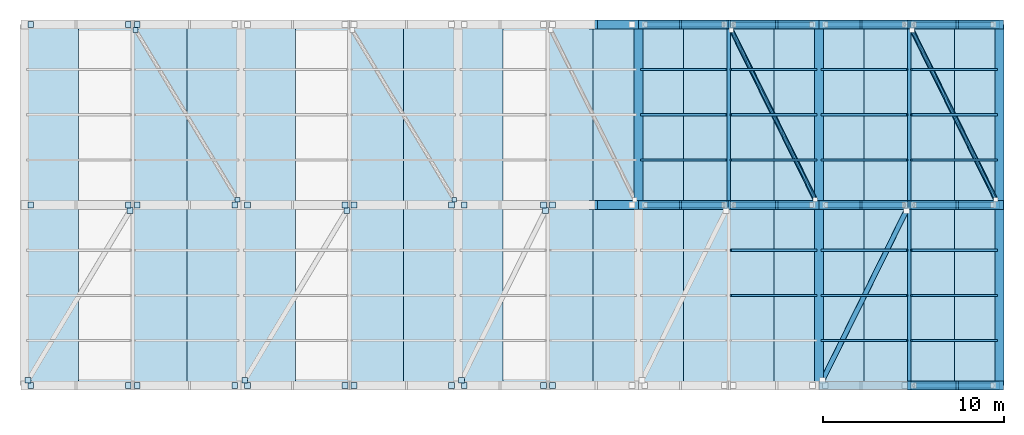
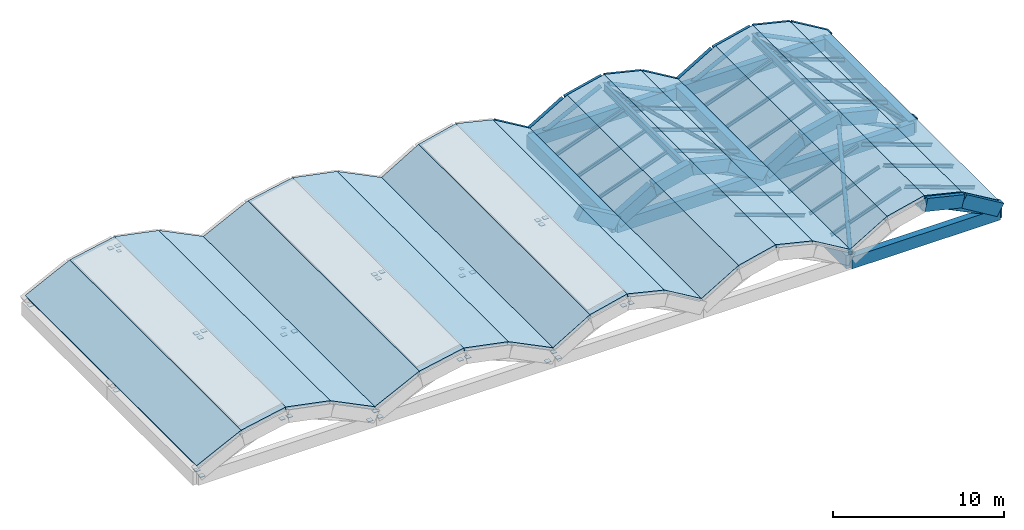
# One storey, part 2 of 3: 34 plates, 33 beams, 32 members, 20 slabs.
"""IFC4 building model written with IfcOpenShell, lengths in metres."""

from ifc_helpers import new_model, si_unit, direction, frame, origin, origin_2d, place, context, subcontext, project, spatial, polyline, rectangle, hollow_circle, i_section, outline, extrude, material, layer, layer_set, material_profile, profile_set, type_object, element, save


model = new_model("IFC4")

# Units and contexts
model_context = context("Model", 3, precision=1e-05, world=origin(), true_north=direction((0.0, 1.0)))
body_context = subcontext(model_context, "Body", "Model", "MODEL_VIEW")
ifc_project = project(units=[si_unit("LENGTHUNIT", "METRE"), si_unit("AREAUNIT", "SQUARE_METRE"), si_unit("VOLUMEUNIT", "CUBIC_METRE"), si_unit("PLANEANGLEUNIT", "RADIAN"), si_unit("MASSUNIT", "GRAM", prefix="KILO")], contexts=[model_context])

# Site, building, storey
site_placement = place(None, origin())
site = spatial("IfcSite", under=ifc_project, at=site_placement, CompositionType="ELEMENT")
building_placement = place(site_placement, origin())
building = spatial("IfcBuilding", under=site, at=building_placement, Name="Mersad Railyard Sports Hall", CompositionType="ELEMENT")
storey_placement = place(building_placement, frame((0.0, 0.0, 25.800048828125)))
storey = spatial("IfcBuildingStorey", under=building, at=storey_placement, Name="RF", CompositionType="ELEMENT", Elevation=25.800048828125)

# Beams
ifc_material_1 = material(Name="Concrete C40/50", Category="concrete")
ifc_material_profile_1 = material_profile(ifc_material_1, rectangle(XDim=0.449951171875, YDim=0.85009765625, at=origin_2d()), Name="RC 450x850")
ifc_profile_set_1 = profile_set([ifc_material_profile_1], Name="Concrete C40/50")
beam_type_1 = type_object("IfcBeamType", Name="STR-BM-B02", PredefinedType="BEAM", material=ifc_profile_set_1)
for number, where, z_axis, x_axis, name in (
    (1, (101.0, 105.0, -0.449951171875), (1.0, 0.0, 0.0), (0.0, 1.0, 0.0), "Beam B02-1547"),
    (2, (101.0, 115.0, -0.449951171875), (1.0, 0.0, 0.0), (0.0, 1.0, 0.0), "Beam B02-1552"),
    (3, (111.0, 95.0, -0.449951171875), (1.0, 0.0, 0.0), (0.0, 1.0, 0.0), "Beam B02-1559"),
    (4, (111.0, 105.0, -0.449951171875), (1.0, 0.0, 0.0), (0.0, 1.0, 0.0), "Beam B02-1564"),
    (5, (111.0, 115.0, -0.449951171875), (1.0, 0.0, 0.0), (0.0, 1.0, 0.0), "Beam B02-1569"),
):
    element("IfcBeam", number, at=place(storey_placement, frame(where, z_axis=z_axis, x_axis=x_axis)), inside=storey, type_object=beam_type_1, Name=name, PredefinedType="BEAM", context=body_context, shape_type="SweptSolid", body=[
        extrude(rectangle(XDim=0.449951171875, YDim=0.85009765625, at=origin_2d()), origin(), (0.0, 0.0, 1.0), 10.0),
    ])
ifc_material_2 = material(Name="Concrete C50/60", Category="concrete")
ifc_material_profile_2 = material_profile(ifc_material_2, rectangle(XDim=0.5, YDim=0.949951171875, at=origin_2d()), Name="RC 500x950")
ifc_profile_set_2 = profile_set([ifc_material_profile_2], Name="Concrete C50/60")
beam_type_2 = type_object("IfcBeamType", Name="STR-BM-B03", PredefinedType="BEAM", material=ifc_profile_set_2)
for number, where, z_axis, x_axis, name in (
    (6, (101.0, 105.0, -0.449951171875), (0.0, 1.0, 0.0), (-1.0, 0.0, 0.0), "Beam B03-1486"),
    (7, (111.0, 95.0, -0.449951171875), (0.0, 1.0, 0.0), (-1.0, 0.0, 0.0), "Beam B03-1487"),
    (8, (111.0, 105.0, -0.449951171875), (0.0, 1.0, 0.0), (-1.0, 0.0, 0.0), "Beam B03-1488"),
    (9, (121.0, 95.0, -0.449951171875), (0.0, 1.0, 0.0), (-1.0, 0.0, 0.0), "Beam B03-1489"),
    (10, (121.0, 105.0, -0.449951171875), (0.0, 1.0, 0.0), (-1.0, 0.0, 0.0), "Beam B03-1490"),
):
    element("IfcBeam", number, at=place(storey_placement, frame(where, z_axis=z_axis, x_axis=x_axis)), inside=storey, type_object=beam_type_2, Name=name, PredefinedType="BEAM", context=body_context, shape_type="SweptSolid", body=[
        extrude(rectangle(XDim=0.5, YDim=0.949951171875, at=origin_2d()), origin(), (0.0, 0.0, 1.0), 10.0),
    ])
ifc_material_3 = material(Name="Steel S355", Category="steel")
ifc_material_profile_3 = material_profile(ifc_material_3, i_section(OverallWidth=0.2099609375, OverallDepth=0.550048828125, WebThickness=0.010986328125, FlangeThickness=0.01708984375, at=origin_2d()), Name="IPE 550")
ifc_profile_set_3 = profile_set([ifc_material_profile_3], Name="Steel S355")
beam_type_3 = type_object("IfcBeamType", Name="STR-BM-SB02", PredefinedType="BEAM", material=ifc_profile_set_3)
for number, where, z_axis, x_axis, name in (
    (11, (106.0, 105.0, 1.64990234375), (0.0, 1.0, 0.0), (-1.0, 0.0, 0.0), "Beam SB02-1558"),
    (12, (116.0, 95.0, 1.64990234375), (0.0, 1.0, 0.0), (-1.0, 0.0, 0.0), "Beam SB02-1574"),
    (13, (116.0, 105.0, 1.64990234375), (0.0, 1.0, 0.0), (-1.0, 0.0, 0.0), "Beam SB02-1575"),
):
    element("IfcBeam", number, at=place(storey_placement, frame(where, z_axis=z_axis, x_axis=x_axis)), inside=storey, type_object=beam_type_3, Name=name, PredefinedType="BEAM", context=body_context, shape_type="SweptSolid", body=[
        extrude(i_section(OverallWidth=0.2099609375, OverallDepth=0.550048828125, WebThickness=0.010986328125, FlangeThickness=0.01708984375, at=origin_2d()), origin(), (0.0, 0.0, 1.0), 10.0),
    ])
ifc_material_4 = material(Name="Architectural concrete C50/60", Category="concrete")
ifc_material_profile_4 = material_profile(ifc_material_4, rectangle(XDim=0.5, YDim=0.89990234375, at=origin_2d()), Name="VR 500x900")
ifc_profile_set_4 = profile_set([ifc_material_profile_4], Name="Architectural concrete C50/60")
beam_type_4 = type_object("IfcBeamType", Name="STR-BM-VR02", PredefinedType="BEAM", material=ifc_profile_set_4)
for number, where, z_axis, x_axis, name in (
    (14, (98.5, 105.0, 1.349853515625), (0.857492925713, 0.0, -0.514495755428), (0.0, 1.0, 0.0), "Beam VR02-1534"),
    (15, (98.5, 115.0, 1.349853515625), (0.857492925713, 0.0, -0.514495755428), (0.0, 1.0, 0.0), "Beam VR02-1539"),
    (16, (101.0, 105.0, -0.150146484375), (0.857492925713, 0.0, 0.514495755428), (0.0, 1.0, 0.0), "Beam VR02-1548"),
):
    element("IfcBeam", number, at=place(storey_placement, frame(where, z_axis=z_axis, x_axis=x_axis)), inside=storey, type_object=beam_type_4, Name=name, PredefinedType="BEAM", context=body_context, shape_type="SweptSolid", body=[
        extrude(rectangle(XDim=0.5, YDim=0.89990234375, at=origin_2d()), origin(), (0.0, 0.0, 1.0), 2.91552734375),
    ])
for number, where, z_axis, x_axis, name in (
    (17, (103.5, 105.0, 1.349853515625), (0.972378681754, 0.0, 0.233408867163), (0.0, 1.0, 0.0), "Beam VR02-1549"),
    (18, (106.0, 105.0, 1.949951171875), (0.972378681754, 0.0, -0.233408867163), (0.0, 1.0, 0.0), "Beam VR02-1550"),
):
    element("IfcBeam", number, at=place(storey_placement, frame(where, z_axis=z_axis, x_axis=x_axis)), inside=storey, type_object=beam_type_4, Name=name, PredefinedType="BEAM", context=body_context, shape_type="SweptSolid", body=[
        extrude(rectangle(XDim=0.5, YDim=0.89990234375, at=origin_2d()), origin(), (0.0, 0.0, 1.0), 2.571044921875),
    ])
for number, where, z_axis, x_axis, name in (
    (19, (108.5, 105.0, 1.349853515625), (0.857492925713, 0.0, -0.514495755428), (0.0, 1.0, 0.0), "Beam VR02-1551"),
    (20, (101.0, 115.0, -0.150146484375), (0.857492925713, 0.0, 0.514495755428), (0.0, 1.0, 0.0), "Beam VR02-1553"),
):
    element("IfcBeam", number, at=place(storey_placement, frame(where, z_axis=z_axis, x_axis=x_axis)), inside=storey, type_object=beam_type_4, Name=name, PredefinedType="BEAM", context=body_context, shape_type="SweptSolid", body=[
        extrude(rectangle(XDim=0.5, YDim=0.89990234375, at=origin_2d()), origin(), (0.0, 0.0, 1.0), 2.91552734375),
    ])
for number, where, z_axis, x_axis, name in (
    (21, (103.5, 115.0, 1.349853515625), (0.972378681754, 0.0, 0.233408867163), (0.0, 1.0, 0.0), "Beam VR02-1554"),
    (22, (106.0, 115.0, 1.949951171875), (0.972378681754, 0.0, -0.233408867163), (0.0, 1.0, 0.0), "Beam VR02-1555"),
):
    element("IfcBeam", number, at=place(storey_placement, frame(where, z_axis=z_axis, x_axis=x_axis)), inside=storey, type_object=beam_type_4, Name=name, PredefinedType="BEAM", context=body_context, shape_type="SweptSolid", body=[
        extrude(rectangle(XDim=0.5, YDim=0.89990234375, at=origin_2d()), origin(), (0.0, 0.0, 1.0), 2.571044921875),
    ])
beam_1_placement = place(storey_placement, frame((108.5, 115.0, 1.349853515625), z_axis=(0.857492925713, 0.0, -0.514495755428), x_axis=(0.0, 1.0, 0.0)))
element("IfcBeam", 23, at=beam_1_placement, inside=storey, type_object=beam_type_4, Name="Beam VR02-1556", PredefinedType="BEAM", context=body_context, shape_type="SweptSolid", body=[
    extrude(rectangle(XDim=0.5, YDim=0.89990234375, at=origin_2d()), origin(), (0.0, 0.0, 1.0), 2.91552734375),
])
beam_2_placement = place(storey_placement, frame((116.0, 95.0, 1.949951171875), z_axis=(0.972378681754, 0.0, -0.233408867163), x_axis=(0.0, 1.0, 0.0)))
element("IfcBeam", 24, at=beam_2_placement, inside=storey, type_object=beam_type_4, Name="Beam VR02-1562", PredefinedType="BEAM", context=body_context, shape_type="SweptSolid", body=[
    extrude(rectangle(XDim=0.5, YDim=0.89990234375, at=origin_2d()), origin(), (0.0, 0.0, 1.0), 2.571044921875),
])
for number, where, z_axis, x_axis, name in (
    (25, (118.5, 95.0, 1.349853515625), (0.857492925713, 0.0, -0.514495755428), (0.0, 1.0, 0.0), "Beam VR02-1563"),
    (26, (111.0, 105.0, -0.150146484375), (0.857492925713, 0.0, 0.514495755428), (0.0, 1.0, 0.0), "Beam VR02-1565"),
):
    element("IfcBeam", number, at=place(storey_placement, frame(where, z_axis=z_axis, x_axis=x_axis)), inside=storey, type_object=beam_type_4, Name=name, PredefinedType="BEAM", context=body_context, shape_type="SweptSolid", body=[
        extrude(rectangle(XDim=0.5, YDim=0.89990234375, at=origin_2d()), origin(), (0.0, 0.0, 1.0), 2.91552734375),
    ])
for number, where, z_axis, x_axis, name in (
    (27, (113.5, 105.0, 1.349853515625), (0.972378681754, 0.0, 0.233408867163), (0.0, 1.0, 0.0), "Beam VR02-1566"),
    (28, (116.0, 105.0, 1.949951171875), (0.972378681754, 0.0, -0.233408867163), (0.0, 1.0, 0.0), "Beam VR02-1567"),
):
    element("IfcBeam", number, at=place(storey_placement, frame(where, z_axis=z_axis, x_axis=x_axis)), inside=storey, type_object=beam_type_4, Name=name, PredefinedType="BEAM", context=body_context, shape_type="SweptSolid", body=[
        extrude(rectangle(XDim=0.5, YDim=0.89990234375, at=origin_2d()), origin(), (0.0, 0.0, 1.0), 2.571044921875),
    ])
for number, where, z_axis, x_axis, name in (
    (29, (118.5, 105.0, 1.349853515625), (0.857492925713, 0.0, -0.514495755428), (0.0, 1.0, 0.0), "Beam VR02-1568"),
    (30, (111.0, 115.0, -0.150146484375), (0.857492925713, 0.0, 0.514495755428), (0.0, 1.0, 0.0), "Beam VR02-1570"),
):
    element("IfcBeam", number, at=place(storey_placement, frame(where, z_axis=z_axis, x_axis=x_axis)), inside=storey, type_object=beam_type_4, Name=name, PredefinedType="BEAM", context=body_context, shape_type="SweptSolid", body=[
        extrude(rectangle(XDim=0.5, YDim=0.89990234375, at=origin_2d()), origin(), (0.0, 0.0, 1.0), 2.91552734375),
    ])
for number, where, z_axis, x_axis, name in (
    (31, (113.5, 115.0, 1.349853515625), (0.972378681754, 0.0, 0.233408867163), (0.0, 1.0, 0.0), "Beam VR02-1571"),
    (32, (116.0, 115.0, 1.949951171875), (0.972378681754, 0.0, -0.233408867163), (0.0, 1.0, 0.0), "Beam VR02-1572"),
):
    element("IfcBeam", number, at=place(storey_placement, frame(where, z_axis=z_axis, x_axis=x_axis)), inside=storey, type_object=beam_type_4, Name=name, PredefinedType="BEAM", context=body_context, shape_type="SweptSolid", body=[
        extrude(rectangle(XDim=0.5, YDim=0.89990234375, at=origin_2d()), origin(), (0.0, 0.0, 1.0), 2.571044921875),
    ])
beam_3_placement = place(storey_placement, frame((118.5, 115.0, 1.349853515625), z_axis=(0.857492925713, 0.0, -0.514495755428), x_axis=(0.0, 1.0, 0.0)))
element("IfcBeam", 33, at=beam_3_placement, inside=storey, type_object=beam_type_4, Name="Beam VR02-1573", PredefinedType="BEAM", context=body_context, shape_type="SweptSolid", body=[
    extrude(rectangle(XDim=0.5, YDim=0.89990234375, at=origin_2d()), origin(), (0.0, 0.0, 1.0), 2.91552734375),
])

# Members
ifc_material_profile_5 = material_profile(ifc_material_3, hollow_circle(Radius=0.122314453125, WallThickness=0.012451171875, at=origin_2d()), Name="CHS 244.5x12.5")
ifc_profile_set_5 = profile_set([ifc_material_profile_5], Name="Steel S355")
member_type_1 = type_object("IfcMemberType", Name="STR-MEM-BR01", PredefinedType="BRACE", material=ifc_profile_set_5)
for number, where, z_axis, x_axis, name in (
    (34, (106.14990234375, 114.699951171875, 1.599853515625), (0.437362823388, -0.884094262934, -0.164593726994), (0.896318753344, 0.443410298035, 0.0), "Structural member BR01-0357"),
    (35, (116.14990234375, 114.699951171875, 1.599853515625), (0.437362823388, -0.884094262934, -0.164593726994), (0.896318753344, 0.443410298035, 0.0), "Structural member BR01-0371"),
):
    element("IfcMember", number, at=place(storey_placement, frame(where, z_axis=z_axis, x_axis=x_axis)), inside=storey, type_object=member_type_1, Name=name, PredefinedType="BRACE", context=body_context, shape_type="SweptSolid", body=[
        extrude(hollow_circle(Radius=0.122314453125, WallThickness=0.012451171875, at=origin_2d()), origin(), (0.0, 0.0, 1.0), 10.63232421875),
    ])
ifc_material_profile_6 = material_profile(ifc_material_3, hollow_circle(Radius=0.136474609375, WallThickness=0.012451171875, at=origin_2d()), Name="CHS 273x12.5")
ifc_profile_set_6 = profile_set([ifc_material_profile_6], Name="Steel S355")
member_type_2 = type_object("IfcMemberType", Name="STR-MEM-BR02", PredefinedType="BRACE", material=ifc_profile_set_6)
for number, where, z_axis, x_axis, name in (
    (36, (101.35009765625, 105.0, -0.420166015625), (0.896842475218, 0.0, 0.44235005894), (0.0, 1.0, 0.0), "Structural member BR02-0049"),
    (37, (110.64990234375, 105.0, -0.420166015625), (-0.896842475218, 0.0, 0.44235005894), (0.0, -1.0, 0.0), "Structural member BR02-0050"),
    (38, (101.35009765625, 115.0, -0.420166015625), (0.896842475218, 0.0, 0.44235005894), (0.0, 1.0, 0.0), "Structural member BR02-0051"),
    (39, (110.64990234375, 115.0, -0.420166015625), (-0.896842475218, 0.0, 0.44235005894), (0.0, -1.0, 0.0), "Structural member BR02-0052"),
    (40, (120.64990234375, 95.0, -0.420166015625), (-0.896842475218, 0.0, 0.44235005894), (0.0, -1.0, 0.0), "Structural member BR02-0054"),
    (41, (111.35009765625, 105.0, -0.420166015625), (0.896842475218, 0.0, 0.44235005894), (0.0, 1.0, 0.0), "Structural member BR02-0055"),
    (42, (120.64990234375, 105.0, -0.420166015625), (-0.896842475218, 0.0, 0.44235005894), (0.0, -1.0, 0.0), "Structural member BR02-0056"),
    (43, (111.35009765625, 115.0, -0.420166015625), (0.896842475218, 0.0, 0.44235005894), (0.0, 1.0, 0.0), "Structural member BR02-0057"),
    (44, (120.64990234375, 115.0, -0.420166015625), (-0.896842475218, 0.0, 0.44235005894), (0.0, -1.0, 0.0), "Structural member BR02-0058"),
):
    element("IfcMember", number, at=place(storey_placement, frame(where, z_axis=z_axis, x_axis=x_axis)), inside=storey, type_object=member_type_2, Name=name, PredefinedType="BRACE", context=body_context, shape_type="SweptSolid", body=[
        extrude(hollow_circle(Radius=0.136474609375, WallThickness=0.012451171875, at=origin_2d()), origin(), (0.0, 0.0, 1.0), 4.906005859375),
    ])
member_placement = place(storey_placement, frame((111.199951171875, 95.300048828125, -0.150146484375), z_axis=(0.437362823388, 0.884094262934, 0.164593726994), x_axis=(-0.896318753344, 0.443410298035, 0.0)))
element("IfcMember", 45, at=member_placement, inside=storey, type_object=member_type_2, Name="Structural member BR02-0370", PredefinedType="BRACE", context=body_context, shape_type="SweptSolid", body=[
    extrude(hollow_circle(Radius=0.136474609375, WallThickness=0.012451171875, at=origin_2d()), origin(), (0.0, 0.0, 1.0), 10.63232421875),
])
ifc_material_profile_7 = material_profile(ifc_material_3, i_section(OverallWidth=0.1201171875, OverallDepth=0.239990234375, WebThickness=0.006103515625, FlangeThickness=0.009765625, at=origin_2d()), Name="IPE 240")
ifc_profile_set_7 = profile_set([ifc_material_profile_7], Name="Steel S355")
member_type_3 = type_object("IfcMemberType", Name="STR-MEM-PU01", PredefinedType="PURLIN", material=ifc_profile_set_7)
for number, where, z_axis, x_axis, name in (
    (46, (106.1201171875, 100.0, 1.550048828125), (0.941052008282, 0.0, -0.338261906972), (0.0, 1.0, 0.0), "Structural member PU01-0347"),
    (47, (106.1201171875, 102.5, 1.550048828125), (0.941052008282, 0.0, -0.338261906972), (0.0, 1.0, 0.0), "Structural member PU01-0349"),
    (48, (101.14990234375, 107.5, -0.150146484375), (0.941052008282, 0.0, 0.338261906972), (0.0, 1.0, 0.0), "Structural member PU01-0350"),
    (49, (106.1201171875, 107.5, 1.550048828125), (0.941052008282, 0.0, -0.338261906972), (0.0, 1.0, 0.0), "Structural member PU01-0351"),
    (50, (101.14990234375, 110.0, -0.150146484375), (0.941052008282, 0.0, 0.338261906972), (0.0, 1.0, 0.0), "Structural member PU01-0352"),
    (51, (106.1201171875, 110.0, 1.550048828125), (0.941052008282, 0.0, -0.338261906972), (0.0, 1.0, 0.0), "Structural member PU01-0353"),
    (52, (101.14990234375, 112.5, -0.150146484375), (0.941052008282, 0.0, 0.338261906972), (0.0, 1.0, 0.0), "Structural member PU01-0354"),
    (53, (106.1201171875, 112.5, 1.550048828125), (0.941052008282, 0.0, -0.338261906972), (0.0, 1.0, 0.0), "Structural member PU01-0355"),
    (54, (111.14990234375, 97.5, -0.150146484375), (0.941052008282, 0.0, 0.338261906972), (0.0, 1.0, 0.0), "Structural member PU01-0358"),
    (55, (116.1201171875, 97.5, 1.550048828125), (0.941052008282, 0.0, -0.338261906972), (0.0, 1.0, 0.0), "Structural member PU01-0359"),
    (56, (111.14990234375, 100.0, -0.150146484375), (0.941052008282, 0.0, 0.338261906972), (0.0, 1.0, 0.0), "Structural member PU01-0360"),
    (57, (116.1201171875, 100.0, 1.550048828125), (0.941052008282, 0.0, -0.338261906972), (0.0, 1.0, 0.0), "Structural member PU01-0361"),
    (58, (111.14990234375, 102.5, -0.150146484375), (0.941052008282, 0.0, 0.338261906972), (0.0, 1.0, 0.0), "Structural member PU01-0362"),
    (59, (116.1201171875, 102.5, 1.550048828125), (0.941052008282, 0.0, -0.338261906972), (0.0, 1.0, 0.0), "Structural member PU01-0363"),
    (60, (111.14990234375, 107.5, -0.150146484375), (0.941052008282, 0.0, 0.338261906972), (0.0, 1.0, 0.0), "Structural member PU01-0364"),
    (61, (116.1201171875, 107.5, 1.550048828125), (0.941052008282, 0.0, -0.338261906972), (0.0, 1.0, 0.0), "Structural member PU01-0365"),
    (62, (111.14990234375, 110.0, -0.150146484375), (0.941052008282, 0.0, 0.338261906972), (0.0, 1.0, 0.0), "Structural member PU01-0366"),
    (63, (116.1201171875, 110.0, 1.550048828125), (0.941052008282, 0.0, -0.338261906972), (0.0, 1.0, 0.0), "Structural member PU01-0367"),
    (64, (111.14990234375, 112.5, -0.150146484375), (0.941052008282, 0.0, 0.338261906972), (0.0, 1.0, 0.0), "Structural member PU01-0368"),
    (65, (116.1201171875, 112.5, 1.550048828125), (0.941052008282, 0.0, -0.338261906972), (0.0, 1.0, 0.0), "Structural member PU01-0369"),
):
    element("IfcMember", number, at=place(storey_placement, frame(where, z_axis=z_axis, x_axis=x_axis)), inside=storey, type_object=member_type_3, Name=name, PredefinedType="PURLIN", context=body_context, shape_type="SweptSolid", body=[
        extrude(i_section(OverallWidth=0.1201171875, OverallDepth=0.239990234375, WebThickness=0.006103515625, FlangeThickness=0.009765625, at=origin_2d()), origin(), (0.0, 0.0, 1.0), 5.0263671875),
    ])

# Plates
ifc_layer_1 = layer(ifc_material_3, 0.02392578125)
ifc_layer_set_1 = layer_set([ifc_layer_1], Name="Steel S355")
plate_type_1 = type_object("IfcPlateType", Name="STR-PL-KP04", PredefinedType="SHEET", material=ifc_layer_set_1)
for number, where, z_axis, x_axis, name in (
    (66, (73.14990234375, 114.699951171875, 1.587890625), (0.0, 0.0, 1.0), (1.0, 0.0, 0.0), "End cap plate KP04-0241"),
    (67, (78.800048828125, 105.300048828125, -0.162109375), (0.0, 0.0, 1.0), (1.0, 0.0, 0.0), "End cap plate KP04-0242"),
    (68, (90.800048828125, 105.300048828125, -0.162109375), (0.0, 0.0, 1.0), (1.0, 0.0, 0.0), "End cap plate KP04-0246"),
):
    element("IfcPlate", number, at=place(storey_placement, frame(where, z_axis=z_axis, x_axis=x_axis)), inside=storey, type_object=plate_type_1, Name=name, PredefinedType="SHEET", context=body_context, shape_type="SweptSolid", body=[
        extrude(rectangle(XDim=0.260009765625, YDim=0.260009765625, at=origin_2d()), origin(), (0.0, 0.0, 1.0), 0.02392578125),
    ])
ifc_layer_2 = layer(ifc_material_3, 0.0400390625)
ifc_layer_set_2 = layer_set([ifc_layer_2], Name="Steel S355")
plate_type_2 = type_object("IfcPlateType", Name="STR-PL-KP06", PredefinedType="SHEET", material=ifc_layer_set_2)
for number, where, z_axis, x_axis, name in (
    (69, (67.35009765625, 95.0, -0.440185546875), (0.0, 0.0, 1.0), (1.0, 0.0, 0.0), "End cap plate KP06-0057"),
    (70, (72.75, 95.0, 1.72998046875), (0.0, 0.0, 1.0), (1.0, 0.0, 0.0), "End cap plate KP06-0058"),
    (71, (78.64990234375, 95.0, -0.440185546875), (0.0, 0.0, 1.0), (1.0, 0.0, 0.0), "End cap plate KP06-0059"),
    (72, (73.25, 95.0, 1.72998046875), (0.0, 0.0, 1.0), (1.0, 0.0, 0.0), "End cap plate KP06-0060"),
    (73, (67.35009765625, 105.0, -0.440185546875), (0.0, 0.0, 1.0), (1.0, 0.0, 0.0), "End cap plate KP06-0061"),
    (74, (72.75, 105.0, 1.72998046875), (0.0, 0.0, 1.0), (1.0, 0.0, 0.0), "End cap plate KP06-0062"),
    (75, (78.64990234375, 105.0, -0.440185546875), (0.0, 0.0, 1.0), (1.0, 0.0, 0.0), "End cap plate KP06-0063"),
    (76, (73.25, 105.0, 1.72998046875), (0.0, 0.0, 1.0), (1.0, 0.0, 0.0), "End cap plate KP06-0064"),
    (77, (67.35009765625, 115.0, -0.440185546875), (0.0, 0.0, 1.0), (1.0, 0.0, 0.0), "End cap plate KP06-0065"),
    (78, (72.75, 115.0, 1.72998046875), (0.0, 0.0, 1.0), (1.0, 0.0, 0.0), "End cap plate KP06-0066"),
    (79, (73.25, 115.0, 1.72998046875), (0.0, 0.0, 1.0), (1.0, 0.0, 0.0), "End cap plate KP06-0068"),
    (80, (79.35009765625, 95.0, -0.440185546875), (0.0, 0.0, 1.0), (1.0, 0.0, 0.0), "End cap plate KP06-0069"),
    (81, (84.75, 95.0, 1.72998046875), (0.0, 0.0, 1.0), (1.0, 0.0, 0.0), "End cap plate KP06-0070"),
    (82, (90.64990234375, 95.0, -0.440185546875), (0.0, 0.0, 1.0), (1.0, 0.0, 0.0), "End cap plate KP06-0071"),
    (83, (85.25, 95.0, 1.72998046875), (0.0, 0.0, 1.0), (1.0, 0.0, 0.0), "End cap plate KP06-0072"),
    (84, (79.35009765625, 105.0, -0.440185546875), (0.0, 0.0, 1.0), (1.0, 0.0, 0.0), "End cap plate KP06-0073"),
    (85, (84.75, 105.0, 1.72998046875), (0.0, 0.0, 1.0), (1.0, 0.0, 0.0), "End cap plate KP06-0074"),
    (86, (90.64990234375, 105.0, -0.440185546875), (0.0, 0.0, 1.0), (1.0, 0.0, 0.0), "End cap plate KP06-0075"),
    (87, (85.25, 105.0, 1.72998046875), (0.0, 0.0, 1.0), (1.0, 0.0, 0.0), "End cap plate KP06-0076"),
    (88, (91.35009765625, 95.0, -0.440185546875), (0.0, 0.0, 1.0), (1.0, 0.0, 0.0), "End cap plate KP06-0081"),
    (89, (95.75, 95.0, 1.72998046875), (0.0, 0.0, 1.0), (1.0, 0.0, 0.0), "End cap plate KP06-0082"),
    (90, (96.25, 95.0, 1.72998046875), (0.0, 0.0, 1.0), (1.0, 0.0, 0.0), "End cap plate KP06-0084"),
    (91, (91.35009765625, 105.0, -0.440185546875), (0.0, 0.0, 1.0), (1.0, 0.0, 0.0), "End cap plate KP06-0085"),
    (92, (95.75, 105.0, 1.72998046875), (0.0, 0.0, 1.0), (1.0, 0.0, 0.0), "End cap plate KP06-0086"),
    (93, (96.25, 105.0, 1.72998046875), (0.0, 0.0, 1.0), (1.0, 0.0, 0.0), "End cap plate KP06-0088"),
    (94, (67.199951171875, 95.300048828125, -0.170166015625), (0.0, 0.0, 1.0), (1.0, 0.0, 0.0), "End cap plate KP06-0239"),
    (95, (72.85009765625, 104.699951171875, 1.579833984375), (0.0, 0.0, 1.0), (1.0, 0.0, 0.0), "End cap plate KP06-0240"),
    (96, (79.199951171875, 95.300048828125, -0.170166015625), (0.0, 0.0, 1.0), (1.0, 0.0, 0.0), "End cap plate KP06-0243"),
    (97, (84.85009765625, 104.699951171875, 1.579833984375), (0.0, 0.0, 1.0), (1.0, 0.0, 0.0), "End cap plate KP06-0244"),
    (98, (91.199951171875, 95.300048828125, -0.170166015625), (0.0, 0.0, 1.0), (1.0, 0.0, 0.0), "End cap plate KP06-0247"),
    (99, (95.85009765625, 104.699951171875, 1.579833984375), (0.0, 0.0, 1.0), (1.0, 0.0, 0.0), "End cap plate KP06-0248"),
):
    element("IfcPlate", number, at=place(storey_placement, frame(where, z_axis=z_axis, x_axis=x_axis)), inside=storey, type_object=plate_type_2, Name=name, PredefinedType="SHEET", context=body_context, shape_type="SweptSolid", body=[
        extrude(rectangle(XDim=0.320068359375, YDim=0.320068359375, at=origin_2d()), origin(), (0.0, 0.0, 1.0), 0.0400390625),
    ])

# Slabs
ifc_layer_3 = layer(ifc_material_4, 0.219970703125)
ifc_layer_set_3 = layer_set([ifc_layer_3], Name="Architectural concrete C50/60")
slab_type = type_object("IfcSlabType", Name="STR-SL-RF01", PredefinedType="ROOF", material=ifc_layer_set_3)
slab_1_placement = place(storey_placement, frame((67.0, 95.0, 0.39990234375), z_axis=(-0.44241954073, 0.0, 0.896808201334), x_axis=(0.896808201334, 0.0, 0.44241954073)))
element("IfcSlab", 100, at=slab_1_placement, inside=storey, type_object=slab_type, Name="Wing scalloped barrel-vault shell bay 1 seg 1", PredefinedType="ROOF", context=body_context, shape_type="SweptSolid", body=[
    extrude(outline(polyline([(0.0, 0.0), (3.3451968832762997, 0.0), (3.3451968832762997, 19.999999999999996), (0.0, 19.999999999999996), (0.0, 0.0)])), origin(), (0.0, 0.0, -1.0), 0.219970703125),
])
for number, where, z_axis, x_axis, name in (
    (101, (70.0, 95.0, 1.8798828125), (-0.196146827104, 0.0, 0.980574536798), (0.980574536798, 0.0, 0.196146827104), "Wing scalloped barrel-vault shell bay 1 seg 2"),
    (102, (73.0, 95.0, 2.47998046875), (0.196146827104, 0.0, 0.980574536798), (0.980574536798, 0.0, -0.196146827104), "Wing scalloped barrel-vault shell bay 1 seg 3"),
):
    element("IfcSlab", number, at=place(storey_placement, frame(where, z_axis=z_axis, x_axis=x_axis)), inside=storey, type_object=slab_type, Name=name, PredefinedType="ROOF", context=body_context, shape_type="SweptSolid", body=[
        extrude(outline(polyline([(0.0, 0.0), (3.059430861620629, 0.0), (3.059430861620629, 20.0), (0.0, 20.0), (0.0, 0.0)])), origin(), (0.0, 0.0, -1.0), 0.219970703125),
    ])
for number, where, z_axis, x_axis, name in (
    (103, (76.0, 95.0, 1.8798828125), (0.44241954073, 0.0, 0.896808201334), (0.896808201334, 0.0, -0.44241954073), "Wing scalloped barrel-vault shell bay 1 seg 4"),
    (104, (79.0, 95.0, 0.39990234375), (-0.44241954073, 0.0, 0.896808201334), (0.896808201334, 0.0, 0.44241954073), "Wing scalloped barrel-vault shell bay 2 seg 1"),
):
    element("IfcSlab", number, at=place(storey_placement, frame(where, z_axis=z_axis, x_axis=x_axis)), inside=storey, type_object=slab_type, Name=name, PredefinedType="ROOF", context=body_context, shape_type="SweptSolid", body=[
        extrude(outline(polyline([(0.0, 0.0), (3.3451968832762997, 0.0), (3.3451968832762997, 19.999999999999996), (0.0, 19.999999999999996), (0.0, 0.0)])), origin(), (0.0, 0.0, -1.0), 0.219970703125),
    ])
for number, where, z_axis, x_axis, name in (
    (105, (82.0, 95.0, 1.8798828125), (-0.196146827104, 0.0, 0.980574536798), (0.980574536798, 0.0, 0.196146827104), "Wing scalloped barrel-vault shell bay 2 seg 2"),
    (106, (85.0, 95.0, 2.47998046875), (0.196146827104, 0.0, 0.980574536798), (0.980574536798, 0.0, -0.196146827104), "Wing scalloped barrel-vault shell bay 2 seg 3"),
):
    element("IfcSlab", number, at=place(storey_placement, frame(where, z_axis=z_axis, x_axis=x_axis)), inside=storey, type_object=slab_type, Name=name, PredefinedType="ROOF", context=body_context, shape_type="SweptSolid", body=[
        extrude(outline(polyline([(0.0, 0.0), (3.059430861620629, 0.0), (3.059430861620629, 20.0), (0.0, 20.0), (0.0, 0.0)])), origin(), (0.0, 0.0, -1.0), 0.219970703125),
    ])
slab_2_placement = place(storey_placement, frame((88.0, 95.0, 1.8798828125), z_axis=(0.44241954073, 0.0, 0.896808201334), x_axis=(0.896808201334, 0.0, -0.44241954073)))
element("IfcSlab", 107, at=slab_2_placement, inside=storey, type_object=slab_type, Name="Wing scalloped barrel-vault shell bay 2 seg 4", PredefinedType="ROOF", context=body_context, shape_type="SweptSolid", body=[
    extrude(outline(polyline([(0.0, 0.0), (3.3451968832762997, 0.0), (3.3451968832762997, 19.999999999999996), (0.0, 19.999999999999996), (0.0, 0.0)])), origin(), (0.0, 0.0, -1.0), 0.219970703125),
])
slab_3_placement = place(storey_placement, frame((91.0, 95.0, 0.39990234375), z_axis=(-0.509419959523, 0.0, 0.860518044459), x_axis=(0.860518044459, 0.0, 0.509419959523)))
element("IfcSlab", 108, at=slab_3_placement, inside=storey, type_object=slab_type, Name="Wing scalloped barrel-vault shell bay 3 seg 1", PredefinedType="ROOF", context=body_context, shape_type="SweptSolid", body=[
    extrude(outline(polyline([(0.0, 0.0), (2.905226701633019, 0.0), (2.905226701633019, 20.0), (0.0, 20.0), (0.0, 0.0)])), origin(), (0.0, 0.0, -1.0), 0.219970703125),
])
for number, where, z_axis, x_axis, name in (
    (109, (93.5, 95.0, 1.8798828125), (-0.233408867163, 0.0, 0.972378681754), (0.972378681754, 0.0, 0.233408867163), "Wing scalloped barrel-vault shell bay 3 seg 2"),
    (110, (96.0, 95.0, 2.47998046875), (0.233408867163, 0.0, 0.972378681754), (0.972378681754, 0.0, -0.233408867163), "Wing scalloped barrel-vault shell bay 3 seg 3"),
):
    element("IfcSlab", number, at=place(storey_placement, frame(where, z_axis=z_axis, x_axis=x_axis)), inside=storey, type_object=slab_type, Name=name, PredefinedType="ROOF", context=body_context, shape_type="SweptSolid", body=[
        extrude(outline(polyline([(0.0, 0.0), (2.5710148185175328, 0.0), (2.5710148185175328, 19.999999999999996), (0.0, 19.999999999999996), (0.0, 0.0)])), origin(), (0.0, 0.0, -1.0), 0.219970703125),
    ])
for number, where, z_axis, x_axis, name in (
    (111, (98.5, 95.0, 1.8798828125), (0.509419959523, 0.0, 0.860518044459), (0.860518044459, 0.0, -0.509419959523), "Wing scalloped barrel-vault shell bay 3 seg 4"),
    (112, (101.0, 95.0, 0.39990234375), (-0.509419959523, 0.0, 0.860518044459), (0.860518044459, 0.0, 0.509419959523), "Wing scalloped barrel-vault shell bay 4 seg 1"),
):
    element("IfcSlab", number, at=place(storey_placement, frame(where, z_axis=z_axis, x_axis=x_axis)), inside=storey, type_object=slab_type, Name=name, PredefinedType="ROOF", context=body_context, shape_type="SweptSolid", body=[
        extrude(outline(polyline([(0.0, 0.0), (2.905226701633019, 0.0), (2.905226701633019, 20.0), (0.0, 20.0), (0.0, 0.0)])), origin(), (0.0, 0.0, -1.0), 0.219970703125),
    ])
for number, where, z_axis, x_axis, name in (
    (113, (103.5, 95.0, 1.8798828125), (-0.233408867163, 0.0, 0.972378681754), (0.972378681754, 0.0, 0.233408867163), "Wing scalloped barrel-vault shell bay 4 seg 2"),
    (114, (106.0, 95.0, 2.47998046875), (0.233408867163, 0.0, 0.972378681754), (0.972378681754, 0.0, -0.233408867163), "Wing scalloped barrel-vault shell bay 4 seg 3"),
):
    element("IfcSlab", number, at=place(storey_placement, frame(where, z_axis=z_axis, x_axis=x_axis)), inside=storey, type_object=slab_type, Name=name, PredefinedType="ROOF", context=body_context, shape_type="SweptSolid", body=[
        extrude(outline(polyline([(0.0, 0.0), (2.5710148185175328, 0.0), (2.5710148185175328, 19.999999999999996), (0.0, 19.999999999999996), (0.0, 0.0)])), origin(), (0.0, 0.0, -1.0), 0.219970703125),
    ])
for number, where, z_axis, x_axis, name in (
    (115, (108.5, 95.0, 1.8798828125), (0.509419959523, 0.0, 0.860518044459), (0.860518044459, 0.0, -0.509419959523), "Wing scalloped barrel-vault shell bay 4 seg 4"),
    (116, (111.0, 95.0, 0.39990234375), (-0.509419959523, 0.0, 0.860518044459), (0.860518044459, 0.0, 0.509419959523), "Wing scalloped barrel-vault shell bay 5 seg 1"),
):
    element("IfcSlab", number, at=place(storey_placement, frame(where, z_axis=z_axis, x_axis=x_axis)), inside=storey, type_object=slab_type, Name=name, PredefinedType="ROOF", context=body_context, shape_type="SweptSolid", body=[
        extrude(outline(polyline([(0.0, 0.0), (2.905226701633019, 0.0), (2.905226701633019, 20.0), (0.0, 20.0), (0.0, 0.0)])), origin(), (0.0, 0.0, -1.0), 0.219970703125),
    ])
for number, where, z_axis, x_axis, name in (
    (117, (113.5, 95.0, 1.8798828125), (-0.233408867163, 0.0, 0.972378681754), (0.972378681754, 0.0, 0.233408867163), "Wing scalloped barrel-vault shell bay 5 seg 2"),
    (118, (116.0, 95.0, 2.47998046875), (0.233408867163, 0.0, 0.972378681754), (0.972378681754, 0.0, -0.233408867163), "Wing scalloped barrel-vault shell bay 5 seg 3"),
):
    element("IfcSlab", number, at=place(storey_placement, frame(where, z_axis=z_axis, x_axis=x_axis)), inside=storey, type_object=slab_type, Name=name, PredefinedType="ROOF", context=body_context, shape_type="SweptSolid", body=[
        extrude(outline(polyline([(0.0, 0.0), (2.5710148185175328, 0.0), (2.5710148185175328, 19.999999999999996), (0.0, 19.999999999999996), (0.0, 0.0)])), origin(), (0.0, 0.0, -1.0), 0.219970703125),
    ])
slab_4_placement = place(storey_placement, frame((118.5, 95.0, 1.8798828125), z_axis=(0.509419959523, 0.0, 0.860518044459), x_axis=(0.860518044459, 0.0, -0.509419959523)))
element("IfcSlab", 119, at=slab_4_placement, inside=storey, type_object=slab_type, Name="Wing scalloped barrel-vault shell bay 5 seg 4", PredefinedType="ROOF", context=body_context, shape_type="SweptSolid", body=[
    extrude(outline(polyline([(0.0, 0.0), (2.905226701633019, 0.0), (2.905226701633019, 20.0), (0.0, 20.0), (0.0, 0.0)])), origin(), (0.0, 0.0, -1.0), 0.219970703125),
])

save(model, "model.ifc")
